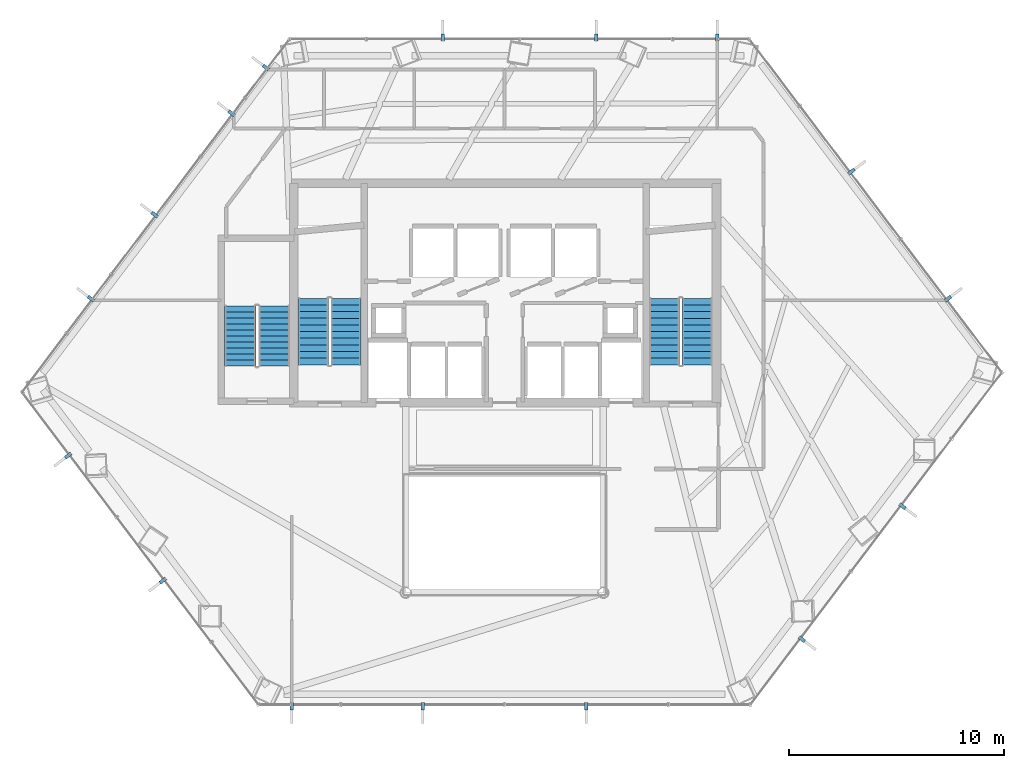
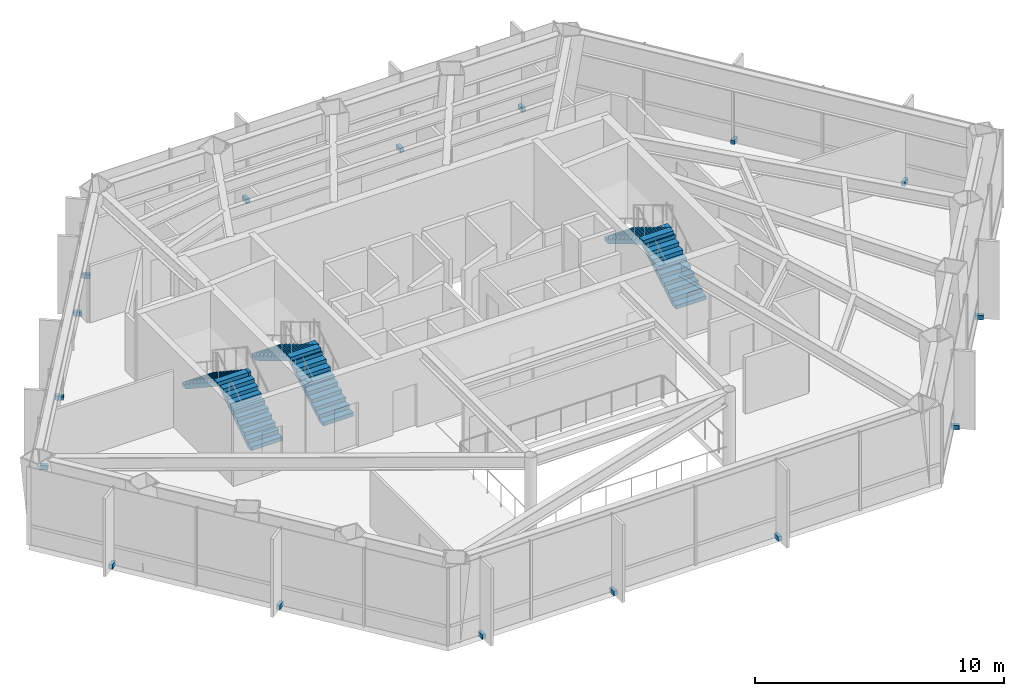
# One storey, part 25 of 26: 16 discrete accessories, 6 stair flights, 3 elements without a shape of their own.
"""IFC4 building model written with IfcOpenShell, lengths in metres."""

from ifc_helpers import new_model, si_unit, direction, frame, origin, origin_2d, place, context, subcontext, project, spatial, polyline, rectangle, outline, extrude, material, type_object, element, aggregate, save


model = new_model("IFC4")

# Units and contexts
model_context = context("Model", 3, precision=1e-05, world=origin(), true_north=direction((0.0, 1.0)))
body_context = subcontext(model_context, "Body", "Model", "MODEL_VIEW")
ifc_project = project(units=[si_unit("LENGTHUNIT", "METRE"), si_unit("AREAUNIT", "SQUARE_METRE"), si_unit("VOLUMEUNIT", "CUBIC_METRE"), si_unit("PLANEANGLEUNIT", "RADIAN"), si_unit("MASSUNIT", "GRAM", prefix="KILO")], contexts=[model_context])

# Site, building, storey
site_placement = place(None, origin())
site = spatial("IfcSite", under=ifc_project, at=site_placement, CompositionType="ELEMENT")
building_placement = place(site_placement, origin())
building = spatial("IfcBuilding", under=site, at=building_placement, Name="Zarrinselat Tower", CompositionType="ELEMENT")
storey_placement = place(building_placement, frame((0.0, 0.0, 35.699951171875)))
storey = spatial("IfcBuildingStorey", under=building, at=storey_placement, Name="L08", CompositionType="ELEMENT", Elevation=35.699951171875)

# Stair, stair flights
ifc_material_1 = material(Name="Concrete C40/50", Category="concrete")
stair_type_1 = type_object("IfcStairType", Name="STR-CORE-145", PredefinedType="HALF_TURN_STAIR", material=ifc_material_1)
stair_1_placement = place(storey_placement, origin())
stair_1 = element("IfcStair", 1, at=stair_1_placement, inside=storey, type_object=stair_type_1, Name="L08 Podium & Mid-Tower Exit Stair 3", PredefinedType="HALF_TURN_STAIR")
ifc_material_2 = material(Name="Concrete C40/50", Category="concrete")
stair_flight_type_1 = type_object("IfcStairFlightType", Name="STR-FLT-145", PredefinedType="STRAIGHT", material=ifc_material_2)
stair_flight_1_placement = place(storey_placement, frame((27.675048828125, 34.949951171875, 0.0), z_axis=(0.0, 0.0, 1.0), x_axis=(0.0, 1.0, 0.0)))
stair_flight_1 = element("IfcStairFlight", 2, at=stair_flight_1_placement, type_object=stair_flight_type_1, Name="ST-3 flight 1", NumberOfRisers=11, NumberOfTreads=10, PredefinedType="STRAIGHT", RiserHeight=0.185454545, TreadLength=0.28, context=body_context, shape_type="SweptSolid", body=[
    extrude(outline(polyline([(0.0, 0.0), (0.0, 0.185546875), (0.280029296875, 0.185546875), (0.280029296875, 0.370849609375), (0.56005859375, 0.370849609375), (0.56005859375, 0.556396484375), (0.840087890625, 0.556396484375), (0.840087890625, 0.74169921875), (1.1201171875, 0.74169921875), (1.1201171875, 0.92724609375), (1.39990234375, 0.92724609375), (1.39990234375, 1.11279296875), (1.679931640625, 1.11279296875), (1.679931640625, 1.298095703125), (1.9599609375, 1.298095703125), (1.9599609375, 1.483642578125), (2.239990234375, 1.483642578125), (2.239990234375, 1.669189453125), (2.52001953125, 1.669189453125), (2.52001953125, 1.8544921875), (2.800048828125, 1.8544921875), (2.800048828125, 2.0400390625), (2.800048828125, 1.6748046875), (0.271484375, 0.0), (0.0, 0.0)])), frame((0.0, 0.72509765625, 0.0), z_axis=(0.0, -1.0, 0.0), x_axis=(1.0, 0.0, 0.0)), (0.0, 0.0, 1.0), 1.449951171875),
])
stair_flight_2_placement = place(storey_placement, frame((26.10498046875, 37.75, 2.0400390625), z_axis=(0.0, 0.0, 1.0), x_axis=(0.0, -1.0, 0.0)))
stair_flight_2 = element("IfcStairFlight", 3, at=stair_flight_2_placement, type_object=stair_flight_type_1, Name="ST-3 flight 2", NumberOfRisers=11, NumberOfTreads=10, PredefinedType="STRAIGHT", RiserHeight=0.185454545, TreadLength=0.28, context=body_context, shape_type="SweptSolid", body=[
    extrude(outline(polyline([(0.0, 0.0), (0.0, 0.185546875), (0.280029296875, 0.185546875), (0.280029296875, 0.370849609375), (0.56005859375, 0.370849609375), (0.56005859375, 0.556396484375), (0.840087890625, 0.556396484375), (0.840087890625, 0.74169921875), (1.1201171875, 0.74169921875), (1.1201171875, 0.92724609375), (1.39990234375, 0.92724609375), (1.39990234375, 1.11279296875), (1.679931640625, 1.11279296875), (1.679931640625, 1.298095703125), (1.9599609375, 1.298095703125), (1.9599609375, 1.483642578125), (2.239990234375, 1.483642578125), (2.239990234375, 1.669189453125), (2.52001953125, 1.669189453125), (2.52001953125, 1.8544921875), (2.800048828125, 1.8544921875), (2.800048828125, 2.0400390625), (2.800048828125, 1.6748046875), (0.271484375, 0.0), (0.0, 0.0)])), frame((0.0, 0.72509765625, 0.0), z_axis=(0.0, -1.0, 0.0), x_axis=(1.0, 0.0, 0.0)), (0.0, 0.0, 1.0), 1.449951171875),
])
aggregate(stair_1, [stair_flight_1, stair_flight_2])

ifc_material_3 = material(Name="Concrete C40/50", Category="concrete")
stair_type_2 = type_object("IfcStairType", Name="STR-CORE-155", PredefinedType="HALF_TURN_STAIR", material=ifc_material_3)
stair_2_placement = place(storey_placement, origin())
stair_2 = element("IfcStair", 4, at=stair_2_placement, inside=storey, type_object=stair_type_2, Name="L08 Core Exit Stair 1", PredefinedType="HALF_TURN_STAIR")
ifc_material_4 = material(Name="Concrete C40/50", Category="concrete")
stair_flight_type_2 = type_object("IfcStairFlightType", Name="STR-FLT-155", PredefinedType="STRAIGHT", material=ifc_material_4)
stair_flight_3_placement = place(storey_placement, frame((31.02001953125, 35.0, 0.0), z_axis=(0.0, 0.0, 1.0), x_axis=(0.0, 1.0, 0.0)))
stair_flight_3 = element("IfcStairFlight", 5, at=stair_flight_3_placement, type_object=stair_flight_type_2, Name="ST-1 flight 1", NumberOfRisers=11, NumberOfTreads=10, PredefinedType="STRAIGHT", RiserHeight=0.185454545, TreadLength=0.31, context=body_context, shape_type="SweptSolid", body=[
    extrude(outline(polyline([(0.0, 0.0), (0.0, 0.185546875), (0.31005859375, 0.185546875), (0.31005859375, 0.370849609375), (0.6201171875, 0.370849609375), (0.6201171875, 0.556396484375), (0.929931640625, 0.556396484375), (0.929931640625, 0.74169921875), (1.239990234375, 0.74169921875), (1.239990234375, 0.92724609375), (1.550048828125, 0.92724609375), (1.550048828125, 1.11279296875), (1.860107421875, 1.11279296875), (1.860107421875, 1.298095703125), (2.169921875, 1.298095703125), (2.169921875, 1.483642578125), (2.47998046875, 1.483642578125), (2.47998046875, 1.669189453125), (2.7900390625, 1.669189453125), (2.7900390625, 1.8544921875), (3.10009765625, 1.8544921875), (3.10009765625, 2.0400390625), (3.10009765625, 1.679931640625), (0.2919921875, 0.0), (0.0, 0.0)])), frame((0.0, 0.699951171875, 0.0), z_axis=(0.0, -1.0, 0.0), x_axis=(1.0, 0.0, 0.0)), (0.0, 0.0, 1.0), 1.39990234375),
])
stair_flight_4_placement = place(storey_placement, frame((29.5, 38.10009765625, 2.0400390625), z_axis=(0.0, 0.0, 1.0), x_axis=(0.0, -1.0, 0.0)))
stair_flight_4 = element("IfcStairFlight", 6, at=stair_flight_4_placement, type_object=stair_flight_type_2, Name="ST-1 flight 2", NumberOfRisers=11, NumberOfTreads=10, PredefinedType="STRAIGHT", RiserHeight=0.185454545, TreadLength=0.31, context=body_context, shape_type="SweptSolid", body=[
    extrude(outline(polyline([(0.0, 0.0), (0.0, 0.185546875), (0.31005859375, 0.185546875), (0.31005859375, 0.370849609375), (0.6201171875, 0.370849609375), (0.6201171875, 0.556396484375), (0.929931640625, 0.556396484375), (0.929931640625, 0.74169921875), (1.239990234375, 0.74169921875), (1.239990234375, 0.92724609375), (1.550048828125, 0.92724609375), (1.550048828125, 1.11279296875), (1.860107421875, 1.11279296875), (1.860107421875, 1.298095703125), (2.169921875, 1.298095703125), (2.169921875, 1.483642578125), (2.47998046875, 1.483642578125), (2.47998046875, 1.669189453125), (2.7900390625, 1.669189453125), (2.7900390625, 1.8544921875), (3.10009765625, 1.8544921875), (3.10009765625, 2.0400390625), (3.10009765625, 1.679931640625), (0.2919921875, 0.0), (0.0, 0.0)])), frame((0.0, 0.699951171875, 0.0), z_axis=(0.0, -1.0, 0.0), x_axis=(1.0, 0.0, 0.0)), (0.0, 0.0, 1.0), 1.39990234375),
])
aggregate(stair_2, [stair_flight_3, stair_flight_4])

stair_3_placement = place(storey_placement, origin())
stair_3 = element("IfcStair", 7, at=stair_3_placement, inside=storey, type_object=stair_type_2, Name="L08 Core Exit Stair 2", PredefinedType="HALF_TURN_STAIR")
stair_flight_5_placement = place(storey_placement, frame((47.360107421875, 35.0, 0.0), z_axis=(0.0, 0.0, 1.0), x_axis=(0.0, 1.0, 0.0)))
stair_flight_5 = element("IfcStairFlight", 8, at=stair_flight_5_placement, type_object=stair_flight_type_2, Name="ST-2 flight 1", NumberOfRisers=11, NumberOfTreads=10, PredefinedType="STRAIGHT", RiserHeight=0.185454545, TreadLength=0.31, context=body_context, shape_type="SweptSolid", body=[
    extrude(outline(polyline([(0.0, 0.0), (0.0, 0.185546875), (0.31005859375, 0.185546875), (0.31005859375, 0.370849609375), (0.6201171875, 0.370849609375), (0.6201171875, 0.556396484375), (0.929931640625, 0.556396484375), (0.929931640625, 0.74169921875), (1.239990234375, 0.74169921875), (1.239990234375, 0.92724609375), (1.550048828125, 0.92724609375), (1.550048828125, 1.11279296875), (1.860107421875, 1.11279296875), (1.860107421875, 1.298095703125), (2.169921875, 1.298095703125), (2.169921875, 1.483642578125), (2.47998046875, 1.483642578125), (2.47998046875, 1.669189453125), (2.7900390625, 1.669189453125), (2.7900390625, 1.8544921875), (3.10009765625, 1.8544921875), (3.10009765625, 2.0400390625), (3.10009765625, 1.679931640625), (0.2919921875, 0.0), (0.0, 0.0)])), frame((0.0, 0.699951171875, 0.0), z_axis=(0.0, -1.0, 0.0), x_axis=(1.0, 0.0, 0.0)), (0.0, 0.0, 1.0), 1.39990234375),
])
stair_flight_6_placement = place(storey_placement, frame((45.840087890625, 38.10009765625, 2.0400390625), z_axis=(0.0, 0.0, 1.0), x_axis=(0.0, -1.0, 0.0)))
stair_flight_6 = element("IfcStairFlight", 9, at=stair_flight_6_placement, type_object=stair_flight_type_2, Name="ST-2 flight 2", NumberOfRisers=11, NumberOfTreads=10, PredefinedType="STRAIGHT", RiserHeight=0.185454545, TreadLength=0.31, context=body_context, shape_type="SweptSolid", body=[
    extrude(outline(polyline([(0.0, 0.0), (0.0, 0.185546875), (0.31005859375, 0.185546875), (0.31005859375, 0.370849609375), (0.6201171875, 0.370849609375), (0.6201171875, 0.556396484375), (0.929931640625, 0.556396484375), (0.929931640625, 0.74169921875), (1.239990234375, 0.74169921875), (1.239990234375, 0.92724609375), (1.550048828125, 0.92724609375), (1.550048828125, 1.11279296875), (1.860107421875, 1.11279296875), (1.860107421875, 1.298095703125), (2.169921875, 1.298095703125), (2.169921875, 1.483642578125), (2.47998046875, 1.483642578125), (2.47998046875, 1.669189453125), (2.7900390625, 1.669189453125), (2.7900390625, 1.8544921875), (3.10009765625, 1.8544921875), (3.10009765625, 2.0400390625), (3.10009765625, 1.679931640625), (0.2919921875, 0.0), (0.0, 0.0)])), frame((0.0, 0.699951171875, 0.0), z_axis=(0.0, -1.0, 0.0), x_axis=(1.0, 0.0, 0.0)), (0.0, 0.0, 1.0), 1.39990234375),
])
aggregate(stair_3, [stair_flight_5, stair_flight_6])

# Discrete accessories
ifc_material_5 = material(Name="Steel S355J2", Category="steel")
discrete_accessory_type = type_object("IfcDiscreteAccessoryType", Name="ACC-FIN-BRACKET", PredefinedType="BRACKET", material=ifc_material_5)
for number, where, z_axis, x_axis, name in (
    (10, (48.300048828125, 50.231201171875, -0.0498046875), (0.0, 0.0, 1.0), (0.0, 1.0, 0.0), "L08 Fin Fixing Bracket CW-L08-E01-01"),
    (11, (42.659423828125, 50.231201171875, -0.0498046875), (0.0, 0.0, 1.0), (0.0, 1.0, 0.0), "L08 Fin Fixing Bracket CW-L08-E01-03"),
    (12, (35.529296875, 50.231201171875, -0.0498046875), (0.0, 0.0, 1.0), (0.0, 1.0, 0.0), "L08 Fin Fixing Bracket CW-L08-E01-05"),
    (13, (27.302001953125, 48.82861328125, -0.0498046875), (0.0, 0.0, 1.0), (-0.797091369752, 0.603858715485, 0.0), "L08 Fin Fixing Bracket CW-L08-E02-01"),
    (14, (25.6962890625, 46.708984375, -0.0498046875), (0.0, 0.0, 1.0), (-0.797091369752, 0.603858715485, 0.0), "L08 Fin Fixing Bracket CW-L08-E02-03"),
    (15, (22.120361328125, 41.988525390625, -0.0498046875), (0.0, 0.0, 1.0), (-0.797091369752, 0.603858715485, 0.0), "L08 Fin Fixing Bracket CW-L08-E02-05"),
    (16, (19.158203125, 38.07861328125, -0.0498046875), (0.0, 0.0, 1.0), (-0.797091369752, 0.603858715485, 0.0), "L08 Fin Fixing Bracket CW-L08-E02-07"),
    (17, (18.10009765625, 30.781005859375, -0.0498046875), (0.0, 0.0, 1.0), (-0.797091748388, -0.603858215687, 0.0), "L08 Fin Fixing Bracket CW-L08-E03-01"),
    (18, (22.506591796875, 24.964599609375, -0.0498046875), (0.0, 0.0, 1.0), (-0.797091748388, -0.603858215687, 0.0), "L08 Fin Fixing Bracket CW-L08-E03-03"),
    (19, (28.5, 19.120361328125, -0.0498046875), (0.0, 0.0, 1.0), (0.0, -1.0, 0.0), "L08 Fin Fixing Bracket CW-L08-E04-01"),
    (20, (34.589599609375, 19.120361328125, -0.0498046875), (0.0, 0.0, 1.0), (0.0, -1.0, 0.0), "L08 Fin Fixing Bracket CW-L08-E04-03"),
    (21, (42.21044921875, 19.120361328125, -0.0498046875), (0.0, 0.0, 1.0), (0.0, -1.0, 0.0), "L08 Fin Fixing Bracket CW-L08-E04-05"),
    (22, (52.229248046875, 22.239501953125, -0.0498046875), (0.0, 0.0, 1.0), (0.797091621663, -0.603858382963, 0.0), "L08 Fin Fixing Bracket CW-L08-E05-01"),
    (23, (56.913330078125, 28.422607421875, -0.0498046875), (0.0, 0.0, 1.0), (0.797091621663, -0.603858382963, 0.0), "L08 Fin Fixing Bracket CW-L08-E05-03"),
    (24, (59.03076171875, 38.07861328125, -0.0498046875), (0.0, 0.0, 1.0), (0.797091473649, 0.603858578341, 0.0), "L08 Fin Fixing Bracket CW-L08-E06-01"),
    (25, (54.546142578125, 43.998291015625, -0.0498046875), (0.0, 0.0, 1.0), (0.797091473649, 0.603858578341, 0.0), "L08 Fin Fixing Bracket CW-L08-E06-03"),
):
    element("IfcDiscreteAccessory", number, at=place(storey_placement, frame(where, z_axis=z_axis, x_axis=x_axis)), inside=storey, type_object=discrete_accessory_type, Name=name, PredefinedType="BRACKET", context=body_context, shape_type="SweptSolid", body=[
        extrude(rectangle(XDim=0.340087890625, YDim=0.159912109375, at=origin_2d()), origin(), (0.0, 0.0, 1.0), 0.219970703125),
    ])

save(model, "model.ifc")
